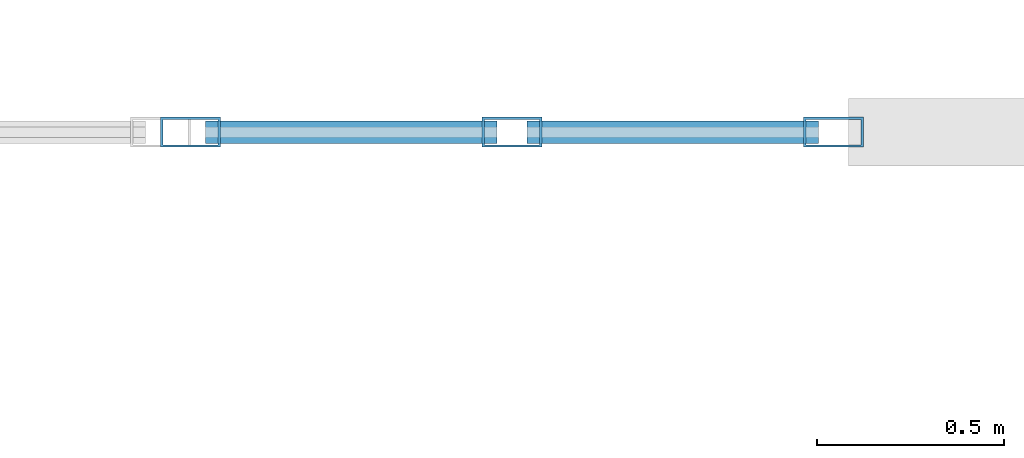
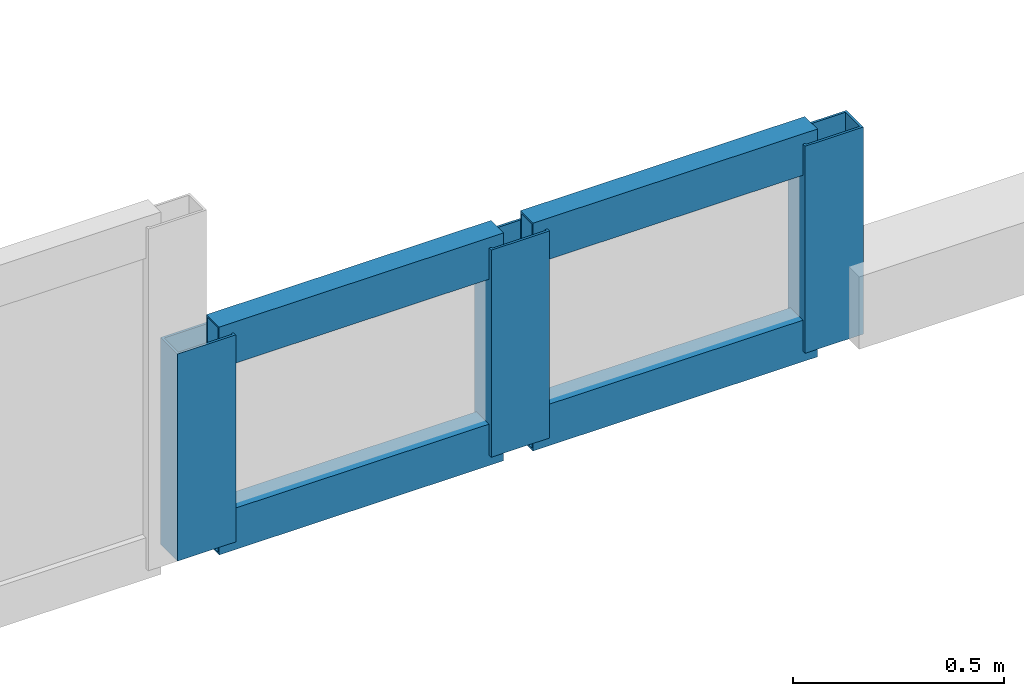
# One storey, part 65 of 105: 7 members, 1 element without a shape of its own.
"""IFC4 building model written with IfcOpenShell, lengths in metres."""

from ifc_helpers import new_model, si_unit, direction, frame, origin, origin_2d, place, context, subcontext, project, spatial, hollow_rectangle, extrude, material, layer, layer_set, material_profile, profile_set, type_object, element, aggregate, save


model = new_model("IFC4")

# Units and contexts
model_context = context("Model", 3, precision=1e-05, world=origin(), true_north=direction((0.0, 1.0)))
body_context = subcontext(model_context, "Body", "Model", "MODEL_VIEW")
ifc_project = project(units=[si_unit("LENGTHUNIT", "METRE"), si_unit("AREAUNIT", "SQUARE_METRE"), si_unit("VOLUMEUNIT", "CUBIC_METRE"), si_unit("PLANEANGLEUNIT", "RADIAN"), si_unit("MASSUNIT", "GRAM", prefix="KILO"), si_unit("THERMODYNAMICTEMPERATUREUNIT", "KELVIN"), si_unit("POWERUNIT", "WATT")], contexts=[model_context])

# Site, building, storey
site_placement = place(None, origin())
site = spatial("IfcSite", under=ifc_project, at=site_placement, CompositionType="ELEMENT")
building_placement = place(site_placement, origin())
building = spatial("IfcBuilding", under=site, at=building_placement, Name="Kaldorven Railside Theatre", CompositionType="ELEMENT")
storey_placement = place(building_placement, frame((0.0, 0.0, 9.89990234375)))
storey = spatial("IfcBuildingStorey", under=building, at=storey_placement, Name="L02", CompositionType="ELEMENT", Elevation=9.89990234375)

# Curtain wall, members
ifc_material_1 = material(Name="Low-E laminated solar-control glass", Category="glass")
ifc_layer = layer(ifc_material_1, 0.159912109375, Name="Low-E laminated solar-control glass")
ifc_layer_set = layer_set([ifc_layer], Name="Low-E laminated solar-control glass")
curtain_wall_type = type_object("IfcCurtainWallType", Name="CWT-70", PredefinedType="USERDEFINED", material=ifc_layer_set)
curtain_wall_placement = place(storey_placement, origin())
curtain_wall = element("IfcCurtainWall", 1, at=curtain_wall_placement, inside=storey, type_object=curtain_wall_type, Name="Workshop North Gable Clerestory CWG-155", ObjectType="FLUTED GLAZING", PredefinedType="USERDEFINED")
ifc_material_2 = material(Name="Anodised bronze aluminium", Category="aluminium")
ifc_material_profile_1 = material_profile(ifc_material_2, hollow_rectangle(XDim=0.080078125, YDim=0.159912109375, WallThickness=0.00634765625, at=origin_2d()), Name="RHS 160x80x6.3")
ifc_profile_set_1 = profile_set([ifc_material_profile_1], Name="Anodised bronze aluminium")
member_type_1 = type_object("IfcMemberType", Name="CWM-160", PredefinedType="MULLION", material=ifc_profile_set_1)
member_1_placement = place(storey_placement, frame((182.639892578125, 141.60009765625, 0.02001953125), z_axis=(0.0, 0.0, 1.0), x_axis=(0.0, 1.0, 0.0)))
member_1 = element("IfcMember", 2, at=member_1_placement, type_object=member_type_1, Name="CWG-155 mullion 1", PredefinedType="MULLION", context=body_context, shape_type="SweptSolid", body=[
    extrude(hollow_rectangle(XDim=0.080078125, YDim=0.159912109375, WallThickness=0.00634765625, at=origin_2d()), origin(), (0.0, 0.0, 1.0), 0.60009765625),
])
member_2_placement = place(storey_placement, frame((183.5, 141.60009765625, 0.02001953125), z_axis=(0.0, 0.0, 1.0), x_axis=(0.0, 1.0, 0.0)))
member_2 = element("IfcMember", 3, at=member_2_placement, type_object=member_type_1, Name="CWG-155 mullion 2", PredefinedType="MULLION", context=body_context, shape_type="SweptSolid", body=[
    extrude(hollow_rectangle(XDim=0.080078125, YDim=0.159912109375, WallThickness=0.00634765625, at=origin_2d()), origin(), (0.0, 0.0, 1.0), 0.60009765625),
])
member_3_placement = place(storey_placement, frame((184.360107421875, 141.60009765625, 0.02001953125), z_axis=(0.0, 0.0, 1.0), x_axis=(0.0, 1.0, 0.0)))
member_3 = element("IfcMember", 4, at=member_3_placement, type_object=member_type_1, Name="CWG-155 mullion 3", PredefinedType="MULLION", context=body_context, shape_type="SweptSolid", body=[
    extrude(hollow_rectangle(XDim=0.080078125, YDim=0.159912109375, WallThickness=0.00634765625, at=origin_2d()), origin(), (0.0, 0.0, 1.0), 0.60009765625),
])
ifc_material_profile_2 = material_profile(ifc_material_2, hollow_rectangle(XDim=0.06005859375, YDim=0.1201171875, WallThickness=0.0048828125, at=origin_2d()), Name="RHS 120x60x5")
ifc_profile_set_2 = profile_set([ifc_material_profile_2], Name="Anodised bronze aluminium")
member_type_2 = type_object("IfcMemberType", Name="CWT-120", PredefinedType="USERDEFINED", material=ifc_profile_set_2)
member_4_placement = place(storey_placement, frame((182.679931640625, 141.60009765625, 0.050048828125), z_axis=(1.0, 0.0, 0.0), x_axis=(0.0, 1.0, 0.0)))
member_4 = element("IfcMember", 5, at=member_4_placement, type_object=member_type_2, Name="CWG-155 transom 1.1", ObjectType="TRANSOM", PredefinedType="USERDEFINED", context=body_context, shape_type="SweptSolid", body=[
    extrude(hollow_rectangle(XDim=0.06005859375, YDim=0.1201171875, WallThickness=0.0048828125, at=origin_2d()), origin(), (0.0, 0.0, 1.0), 0.780029296875),
])
member_5_placement = place(storey_placement, frame((182.679931640625, 141.60009765625, 0.590087890625), z_axis=(1.0, 0.0, 0.0), x_axis=(0.0, 1.0, 0.0)))
member_5 = element("IfcMember", 6, at=member_5_placement, type_object=member_type_2, Name="CWG-155 transom 1.2", ObjectType="TRANSOM", PredefinedType="USERDEFINED", context=body_context, shape_type="SweptSolid", body=[
    extrude(hollow_rectangle(XDim=0.06005859375, YDim=0.1201171875, WallThickness=0.0048828125, at=origin_2d()), origin(), (0.0, 0.0, 1.0), 0.780029296875),
])
member_6_placement = place(storey_placement, frame((183.5400390625, 141.60009765625, 0.050048828125), z_axis=(1.0, 0.0, 0.0), x_axis=(0.0, 1.0, 0.0)))
member_6 = element("IfcMember", 7, at=member_6_placement, type_object=member_type_2, Name="CWG-155 transom 2.1", ObjectType="TRANSOM", PredefinedType="USERDEFINED", context=body_context, shape_type="SweptSolid", body=[
    extrude(hollow_rectangle(XDim=0.06005859375, YDim=0.1201171875, WallThickness=0.0048828125, at=origin_2d()), origin(), (0.0, 0.0, 1.0), 0.780029296875),
])
member_7_placement = place(storey_placement, frame((183.5400390625, 141.60009765625, 0.590087890625), z_axis=(1.0, 0.0, 0.0), x_axis=(0.0, 1.0, 0.0)))
member_7 = element("IfcMember", 8, at=member_7_placement, type_object=member_type_2, Name="CWG-155 transom 2.2", ObjectType="TRANSOM", PredefinedType="USERDEFINED", context=body_context, shape_type="SweptSolid", body=[
    extrude(hollow_rectangle(XDim=0.06005859375, YDim=0.1201171875, WallThickness=0.0048828125, at=origin_2d()), origin(), (0.0, 0.0, 1.0), 0.780029296875),
])
aggregate(curtain_wall, [member_1, member_2, member_3, member_4, member_5, member_6, member_7])

save(model, "model.ifc")
